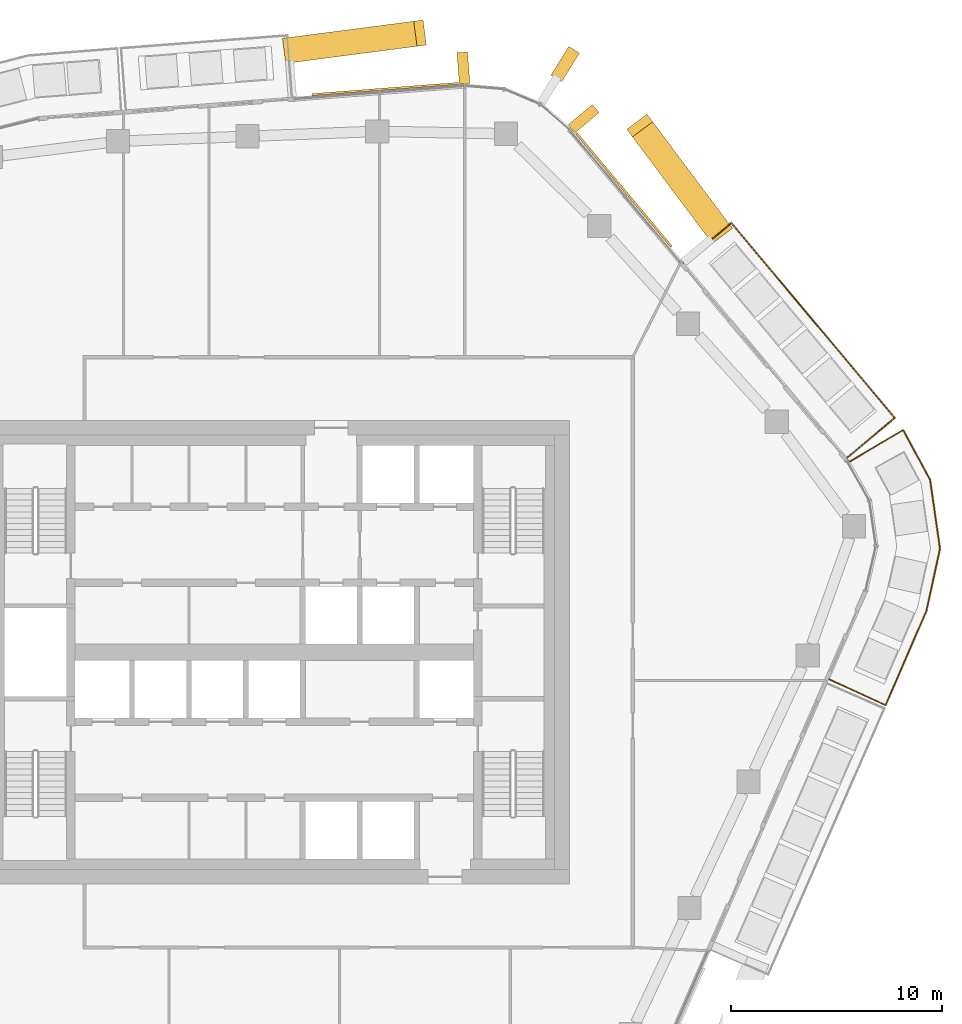
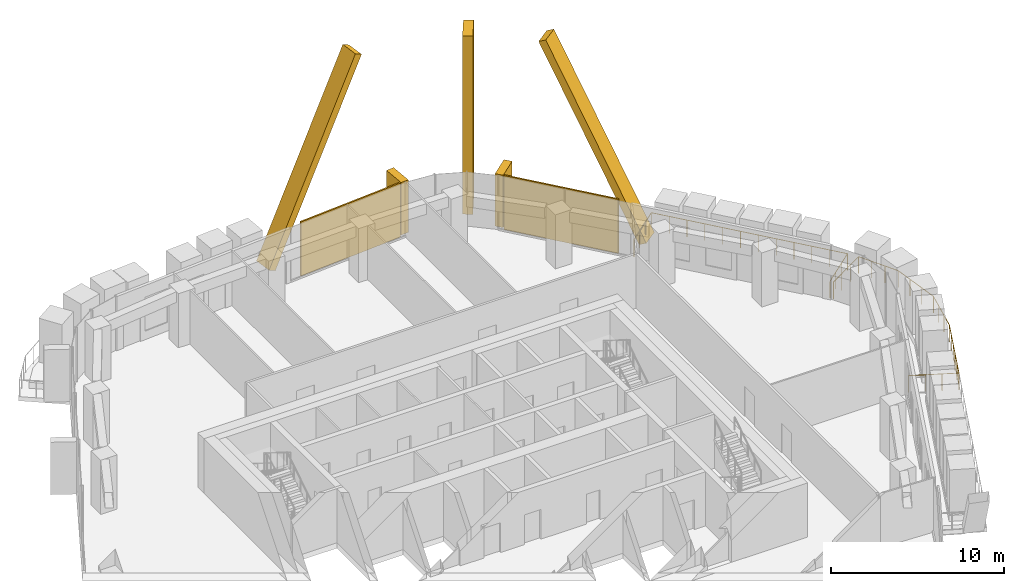
# One storey, part 20 of 20: 7 coverings, 2 railings, 3 elements without a shape of their own.
"""IFC4 building model written with IfcOpenShell, lengths in metres."""

from ifc_helpers import new_model, si_unit, direction, frame, origin, origin_2d, place, context, subcontext, project, spatial, rectangle, circle, extrude, material, layer, layer_set, material_profile, profile_set, type_object, element, aggregate, save


model = new_model("IFC4")

# Units and contexts
model_context = context("Model", 3, precision=1e-05, world=origin(), true_north=direction((0.0, 1.0)))
body_context = subcontext(model_context, "Body", "Model", "MODEL_VIEW")
ifc_project = project(units=[si_unit("LENGTHUNIT", "METRE"), si_unit("AREAUNIT", "SQUARE_METRE"), si_unit("VOLUMEUNIT", "CUBIC_METRE"), si_unit("PLANEANGLEUNIT", "RADIAN"), si_unit("MASSUNIT", "GRAM", prefix="KILO")], contexts=[model_context])

# Site, building, storey
site_placement = place(None, origin())
site = spatial("IfcSite", under=ifc_project, at=site_placement, CompositionType="ELEMENT")
building_placement = place(site_placement, origin())
building = spatial("IfcBuilding", under=site, at=building_placement, Name="Dongbaek Canopy Tower", CompositionType="ELEMENT")
storey_placement = place(building_placement, frame((0.0, 0.0, 241.199951171875)))
storey = spatial("IfcBuildingStorey", under=building, at=storey_placement, Name="L50", CompositionType="ELEMENT", Elevation=241.199951171875)

# Railings
ifc_material_1 = material(Name="Stainless steel", Category="steel")
railing_type = type_object("IfcRailingType", Name="Balcony balustrade 1200", PredefinedType="BALUSTRADE", material=ifc_material_1)
railing_1_placement = place(storey_placement, frame((27.174072265625, 9.232177734375, 0.0)))
element("IfcRailing", 1, at=railing_1_placement, inside=storey, type_object=railing_type, Name="Balcony guard L50 1", PredefinedType="BALUSTRADE", context=body_context, shape_type="SweptSolid", body=[
    extrude(circle(Radius=0.02392578125, at=origin_2d()), frame((0.0, 0.0, 1.17578125), z_axis=(0.766373520026, 0.642395227102, 0.0), x_axis=(-0.642395227102, 0.766373520026, 0.0)), (0.0, 0.0, 1.0), 2.93994140625),
    extrude(circle(Radius=0.02392578125, at=origin_2d()), frame((2.253173828125, 1.888671875, 1.17578125), z_axis=(-0.642387276986, 0.76638018396, 0.0), x_axis=(-0.76638018396, -0.642387276986, 0.0)), (0.0, 0.0, 1.0), 12.06396484375),
    extrude(circle(Radius=0.02392578125, at=origin_2d()), frame((-5.49658203125, 11.13427734375, 1.17578125), z_axis=(-0.766373520026, -0.642395227102, 0.0), x_axis=(0.642395227102, -0.766373520026, 0.0)), (0.0, 0.0, 1.0), 2.93994140625),
    extrude(circle(Radius=0.02099609375, at=origin_2d()), origin(), (0.0, 0.0, 1.0), 1.15185546875),
    extrude(circle(Radius=0.02099609375, at=origin_2d()), frame((0.7509765625, 0.629638671875, 0.0)), (0.0, 0.0, 1.0), 1.15185546875),
    extrude(circle(Radius=0.02099609375, at=origin_2d()), frame((1.502197265625, 1.259033203125, 0.0)), (0.0, 0.0, 1.0), 1.15185546875),
    extrude(circle(Radius=0.02099609375, at=origin_2d()), frame((2.253173828125, 1.888671875, 0.0)), (0.0, 0.0, 1.0), 1.15185546875),
    extrude(circle(Radius=0.02099609375, at=origin_2d()), frame((1.548583984375, 2.729248046875, 0.0)), (0.0, 0.0, 1.0), 1.15185546875),
    extrude(circle(Radius=0.02099609375, at=origin_2d()), frame((0.84423828125, 3.569580078125, 0.0)), (0.0, 0.0, 1.0), 1.15185546875),
    extrude(circle(Radius=0.02099609375, at=origin_2d()), frame((0.1396484375, 4.41015625, 0.0)), (0.0, 0.0, 1.0), 1.15185546875),
    extrude(circle(Radius=0.02099609375, at=origin_2d()), frame((-0.56494140625, 5.250732421875, 0.0)), (0.0, 0.0, 1.0), 1.15185546875),
    extrude(circle(Radius=0.02099609375, at=origin_2d()), frame((-1.26953125, 6.09130859375, 0.0)), (0.0, 0.0, 1.0), 1.15185546875),
    extrude(circle(Radius=0.02099609375, at=origin_2d()), frame((-1.973876953125, 6.931640625, 0.0)), (0.0, 0.0, 1.0), 1.15185546875),
    extrude(circle(Radius=0.02099609375, at=origin_2d()), frame((-2.678466796875, 7.772216796875, 0.0)), (0.0, 0.0, 1.0), 1.15185546875),
    extrude(circle(Radius=0.02099609375, at=origin_2d()), frame((-3.383056640625, 8.61279296875, 0.0)), (0.0, 0.0, 1.0), 1.15185546875),
    extrude(circle(Radius=0.02099609375, at=origin_2d()), frame((-4.087646484375, 9.453369140625, 0.0)), (0.0, 0.0, 1.0), 1.15185546875),
    extrude(circle(Radius=0.02099609375, at=origin_2d()), frame((-4.7919921875, 10.293701171875, 0.0)), (0.0, 0.0, 1.0), 1.15185546875),
    extrude(circle(Radius=0.02099609375, at=origin_2d()), frame((-5.49658203125, 11.13427734375, 0.0)), (0.0, 0.0, 1.0), 1.15185546875),
    extrude(circle(Radius=0.02099609375, at=origin_2d()), frame((-6.24755859375, 10.504638671875, 0.0)), (0.0, 0.0, 1.0), 1.15185546875),
    extrude(circle(Radius=0.02099609375, at=origin_2d()), frame((-6.998779296875, 9.875244140625, 0.0)), (0.0, 0.0, 1.0), 1.15185546875),
    extrude(circle(Radius=0.02099609375, at=origin_2d()), frame((-7.749755859375, 9.24560546875, 0.0)), (0.0, 0.0, 1.0), 1.15185546875),
])
railing_2_placement = place(storey_placement, frame((26.322509765625, -1.27978515625, 0.0)))
element("IfcRailing", 2, at=railing_2_placement, inside=storey, type_object=railing_type, Name="Balcony guard L50 6", PredefinedType="BALUSTRADE", context=body_context, shape_type="SweptSolid", body=[
    extrude(circle(Radius=0.02392578125, at=origin_2d()), frame((0.0, 0.0, 1.17578125), z_axis=(0.908017693991, -0.418931817124, 0.0), x_axis=(0.418931817124, 0.908017693991, 0.0)), (0.0, 0.0, 1.0), 2.940673828125),
    extrude(circle(Radius=0.02392578125, at=origin_2d()), frame((2.670166015625, -1.23193359375, 1.17578125), z_axis=(0.397921664893, 0.917419396246, 0.0), x_axis=(-0.917419396246, 0.397921664893, 0.0)), (0.0, 0.0, 1.0), 4.8837890625),
    extrude(circle(Radius=0.02392578125, at=origin_2d()), frame((4.613525390625, 3.24853515625, 1.17578125), z_axis=(0.212886308317, 0.977076977383, 0.0), x_axis=(-0.977076977383, 0.212886308317, 0.0)), (0.0, 0.0, 1.0), 3.018310546875),
    extrude(circle(Radius=0.02392578125, at=origin_2d()), frame((5.256103515625, 6.19775390625, 1.17578125), z_axis=(-0.142440196603, 0.989803409972, 0.0), x_axis=(-0.989803409972, -0.142440196603, 0.0)), (0.0, 0.0, 1.0), 3.287353515625),
    extrude(circle(Radius=0.02392578125, at=origin_2d()), frame((4.787841796875, 9.45166015625, 1.17578125), z_axis=(-0.474234767146, 0.880398424368, 0.0), x_axis=(-0.880398424368, -0.474234767146, 0.0)), (0.0, 0.0, 1.0), 2.697021484375),
    extrude(circle(Radius=0.02392578125, at=origin_2d()), frame((3.5087890625, 11.826171875, 1.17578125), z_axis=(-0.861256903686, -0.508169800218, 0.0), x_axis=(0.508169800218, -0.861256903686, 0.0)), (0.0, 0.0, 1.0), 2.940673828125),
    extrude(circle(Radius=0.02099609375, at=origin_2d()), origin(), (0.0, 0.0, 1.0), 1.15185546875),
    extrude(circle(Radius=0.02099609375, at=origin_2d()), frame((0.89013671875, -0.41064453125, 0.0)), (0.0, 0.0, 1.0), 1.15185546875),
    extrude(circle(Radius=0.02099609375, at=origin_2d()), frame((1.780029296875, -0.8212890625, 0.0)), (0.0, 0.0, 1.0), 1.15185546875),
    extrude(circle(Radius=0.02099609375, at=origin_2d()), frame((2.670166015625, -1.23193359375, 0.0)), (0.0, 0.0, 1.0), 1.15185546875),
    extrude(circle(Radius=0.02099609375, at=origin_2d()), frame((3.058837890625, -0.3359375, 0.0)), (0.0, 0.0, 1.0), 1.15185546875),
    extrude(circle(Radius=0.02099609375, at=origin_2d()), frame((3.447509765625, 0.560302734375, 0.0)), (0.0, 0.0, 1.0), 1.15185546875),
    extrude(circle(Radius=0.02099609375, at=origin_2d()), frame((3.836181640625, 1.456298828125, 0.0)), (0.0, 0.0, 1.0), 1.15185546875),
    extrude(circle(Radius=0.02099609375, at=origin_2d()), frame((4.224853515625, 2.3525390625, 0.0)), (0.0, 0.0, 1.0), 1.15185546875),
    extrude(circle(Radius=0.02099609375, at=origin_2d()), frame((4.613525390625, 3.24853515625, 0.0)), (0.0, 0.0, 1.0), 1.15185546875),
    extrude(circle(Radius=0.02099609375, at=origin_2d()), frame((4.82763671875, 4.231689453125, 0.0)), (0.0, 0.0, 1.0), 1.15185546875),
    extrude(circle(Radius=0.02099609375, at=origin_2d()), frame((5.0419921875, 5.214599609375, 0.0)), (0.0, 0.0, 1.0), 1.15185546875),
    extrude(circle(Radius=0.02099609375, at=origin_2d()), frame((5.256103515625, 6.19775390625, 0.0)), (0.0, 0.0, 1.0), 1.15185546875),
    extrude(circle(Radius=0.02099609375, at=origin_2d()), frame((5.10009765625, 7.282470703125, 0.0)), (0.0, 0.0, 1.0), 1.15185546875),
    extrude(circle(Radius=0.02099609375, at=origin_2d()), frame((4.94384765625, 8.366943359375, 0.0)), (0.0, 0.0, 1.0), 1.15185546875),
    extrude(circle(Radius=0.02099609375, at=origin_2d()), frame((4.787841796875, 9.45166015625, 0.0)), (0.0, 0.0, 1.0), 1.15185546875),
    extrude(circle(Radius=0.02099609375, at=origin_2d()), frame((4.361572265625, 10.2431640625, 0.0)), (0.0, 0.0, 1.0), 1.15185546875),
    extrude(circle(Radius=0.02099609375, at=origin_2d()), frame((3.93505859375, 11.03466796875, 0.0)), (0.0, 0.0, 1.0), 1.15185546875),
    extrude(circle(Radius=0.02099609375, at=origin_2d()), frame((3.5087890625, 11.826171875, 0.0)), (0.0, 0.0, 1.0), 1.15185546875),
    extrude(circle(Radius=0.02099609375, at=origin_2d()), frame((2.66455078125, 11.328125, 0.0)), (0.0, 0.0, 1.0), 1.15185546875),
    extrude(circle(Radius=0.02099609375, at=origin_2d()), frame((1.8203125, 10.829833984375, 0.0)), (0.0, 0.0, 1.0), 1.15185546875),
    extrude(circle(Radius=0.02099609375, at=origin_2d()), frame((0.97607421875, 10.331787109375, 0.0)), (0.0, 0.0, 1.0), 1.15185546875),
])

# Curtain wall, covering
ifc_material_2 = material(Name="Aluminium 6063-T6 pale anodised", Category="aluminium")
ifc_layer_1 = layer(ifc_material_2, 0.199951171875)
ifc_layer_set_1 = layer_set([ifc_layer_1], Name="CW-1 unitised tower curtain wall")
curtain_wall_type = type_object("IfcCurtainWallType", Name="CW-1 unitised tower curtain wall", PredefinedType="NOTDEFINED", material=ifc_layer_set_1)
curtain_wall_1_placement = place(storey_placement, origin())
curtain_wall_1 = element("IfcCurtainWall", 3, at=curtain_wall_1_placement, inside=storey, type_object=curtain_wall_type, Name="CW-1 curtain wall K1.1", PredefinedType="NOTDEFINED")
ifc_material_3 = material(Name="Aluminium 6063-T6 pale metal fin", Category="aluminium")
ifc_material_profile_1 = material_profile(ifc_material_3, rectangle(XDim=1.60009765625, YDim=0.60009765625, at=origin_2d()), Name="Corner fin CN1 600 x 1600 pale metal")
ifc_profile_set_1 = profile_set([ifc_material_profile_1], Name="Aluminium 6063-T6 pale metal fin")
covering_type_1 = type_object("IfcCoveringType", Name="Corner fin CN1 600 x 1600 pale metal", PredefinedType="CLADDING", material=ifc_profile_set_1)
covering_1_placement = place(storey_placement, frame((13.80029296875, 27.903564453125, -0.18994140625), z_axis=(0.0, 0.0, 1.0), x_axis=(0.528293116951, 0.849062060501, 0.0)))
covering_1 = element("IfcCovering", 4, at=covering_1_placement, type_object=covering_type_1, Name="Corner fin L50 L52 K1", PredefinedType="CLADDING", context=body_context, shape_type="SweptSolid", body=[
    extrude(rectangle(XDim=1.60009765625, YDim=0.60009765625, at=origin_2d()), origin(), (0.0, 0.0, 1.0), 12.580078125),
])
aggregate(curtain_wall_1, [covering_1])

curtain_wall_2_placement = place(storey_placement, origin())
curtain_wall_2 = element("IfcCurtainWall", 5, at=curtain_wall_2_placement, inside=storey, type_object=curtain_wall_type, Name="CW-1 curtain wall F0.1", PredefinedType="NOTDEFINED")
ifc_material_4 = material(Name="Aluminium 6063-T6 pale metal fin", Category="aluminium")
ifc_material_profile_2 = material_profile(ifc_material_4, rectangle(XDim=1.199951171875, YDim=0.5, at=origin_2d()), Name="Crease fin CF1 500 x 1200 pale metal")
ifc_profile_set_2 = profile_set([ifc_material_profile_2], Name="Aluminium 6063-T6 pale metal fin")
covering_type_2 = type_object("IfcCoveringType", Name="Crease fin CF1 500 x 1200 pale metal", PredefinedType="CLADDING", material=ifc_profile_set_2)
covering_2_placement = place(storey_placement, frame((21.120361328125, 19.93408203125, -0.18994140625), z_axis=(-0.268769745801, 0.358665665161, 0.893936107547), x_axis=(-0.800245722357, -0.599672230348, 0.0)))
covering_2 = element("IfcCovering", 6, at=covering_2_placement, type_object=covering_type_2, Name="Crease fin L50 L53 F0", PredefinedType="CLADDING", context=body_context, shape_type="SweptSolid", body=[
    extrude(rectangle(XDim=1.199951171875, YDim=0.5, at=origin_2d()), origin(), (0.0, 0.0, 1.0), 14.094970703125),
])

curtain_wall_3_placement = place(storey_placement, origin())
curtain_wall_3 = element("IfcCurtainWall", 7, at=curtain_wall_3_placement, inside=storey, type_object=curtain_wall_type, Name="CW-1 curtain wall F1.1", PredefinedType="NOTDEFINED")
covering_3_placement = place(storey_placement, frame((0.6845703125, 28.560546875, -0.18994140625), z_axis=(0.442399387495, 0.057692958694, 0.894960504414), x_axis=(-0.129314259298, 0.991603661925, 0.0)))
covering_3 = element("IfcCovering", 8, at=covering_3_placement, type_object=covering_type_2, Name="Crease fin L50 L53 F1", PredefinedType="CLADDING", context=body_context, shape_type="SweptSolid", body=[
    extrude(rectangle(XDim=1.199951171875, YDim=0.5, at=origin_2d()), origin(), (0.0, 0.0, 1.0), 14.078857421875),
])

# Covering
ifc_material_5 = material(Name="Perforated aluminium 6063-T6 pale metal screen", Category="aluminium")
ifc_layer_2 = layer(ifc_material_5, 0.10009765625)
ifc_layer_set_2 = layer_set([ifc_layer_2], Name="Facet screen FS1 100 pale metal")
covering_type_3 = type_object("IfcCoveringType", Name="Facet screen FS1 100 pale metal", PredefinedType="CLADDING", material=ifc_layer_set_2)
covering_4_placement = place(storey_placement, frame((16.57861328125, 21.944091796875, 0.0), z_axis=(0.0, 0.0, 1.0), x_axis=(-0.642393109571, 0.766375294993, 0.0)))
covering_4 = element("IfcCovering", 9, at=covering_4_placement, type_object=covering_type_3, Name="Facet screen L50 F0", PredefinedType="CLADDING", context=body_context, shape_type="SweptSolid", body=[
    extrude(rectangle(XDim=7.033447265625, YDim=0.10009765625, at=origin_2d()), origin(), (0.0, 0.0, 1.0), 3.820068359375),
])

covering_5_placement = place(storey_placement, frame((5.259521484375, 26.722412109375, 0.0), z_axis=(0.0, 0.0, 1.0), x_axis=(-0.997068130639, -0.076518905269, 0.0)))
covering_5 = element("IfcCovering", 10, at=covering_5_placement, type_object=covering_type_3, Name="Facet screen L50 F1", PredefinedType="CLADDING", context=body_context, shape_type="SweptSolid", body=[
    extrude(rectangle(XDim=6.971435546875, YDim=0.10009765625, at=origin_2d()), origin(), (0.0, 0.0, 1.0), 3.820068359375),
])

ifc_material_6 = material(Name="Aluminium 6063-T6 pale metal fin", Category="aluminium")
ifc_material_profile_3 = material_profile(ifc_material_6, rectangle(XDim=1.5, YDim=0.5, at=origin_2d()), Name="Fin FN1 500 x 1500 pale metal")
ifc_profile_set_3 = profile_set([ifc_material_profile_3], Name="Aluminium 6063-T6 pale metal fin")
covering_type_4 = type_object("IfcCoveringType", Name="Fin FN1 500 x 1500 pale metal", PredefinedType="CLADDING", material=ifc_profile_set_3)
covering_6_placement = place(storey_placement, frame((14.672607421875, 25.313720703125, 0.1201171875), z_axis=(0.0, 0.0, 1.0), x_axis=(0.766375296025, 0.64239310834, 0.0)))
covering_6 = element("IfcCovering", 11, at=covering_6_placement, type_object=covering_type_4, Name="Fin F0.1.3", PredefinedType="CLADDING", context=body_context, shape_type="SweptSolid", body=[
    extrude(rectangle(XDim=1.5, YDim=0.5, at=origin_2d()), origin(), (0.0, 0.0, 1.0), 3.699951171875),
])

aggregate(curtain_wall_2, [covering_6, covering_2, covering_4])

covering_7_placement = place(storey_placement, frame((8.97021484375, 27.71337890625, 0.1201171875), z_axis=(0.0, 0.0, 1.0), x_axis=(-0.076518262748, 0.997068179949, 0.0)))
covering_7 = element("IfcCovering", 12, at=covering_7_placement, type_object=covering_type_4, Name="Fin F1.1.1", PredefinedType="CLADDING", context=body_context, shape_type="SweptSolid", body=[
    extrude(rectangle(XDim=1.5, YDim=0.5, at=origin_2d()), origin(), (0.0, 0.0, 1.0), 3.699951171875),
])

aggregate(curtain_wall_3, [covering_7, covering_3, covering_5])

save(model, "model.ifc")
